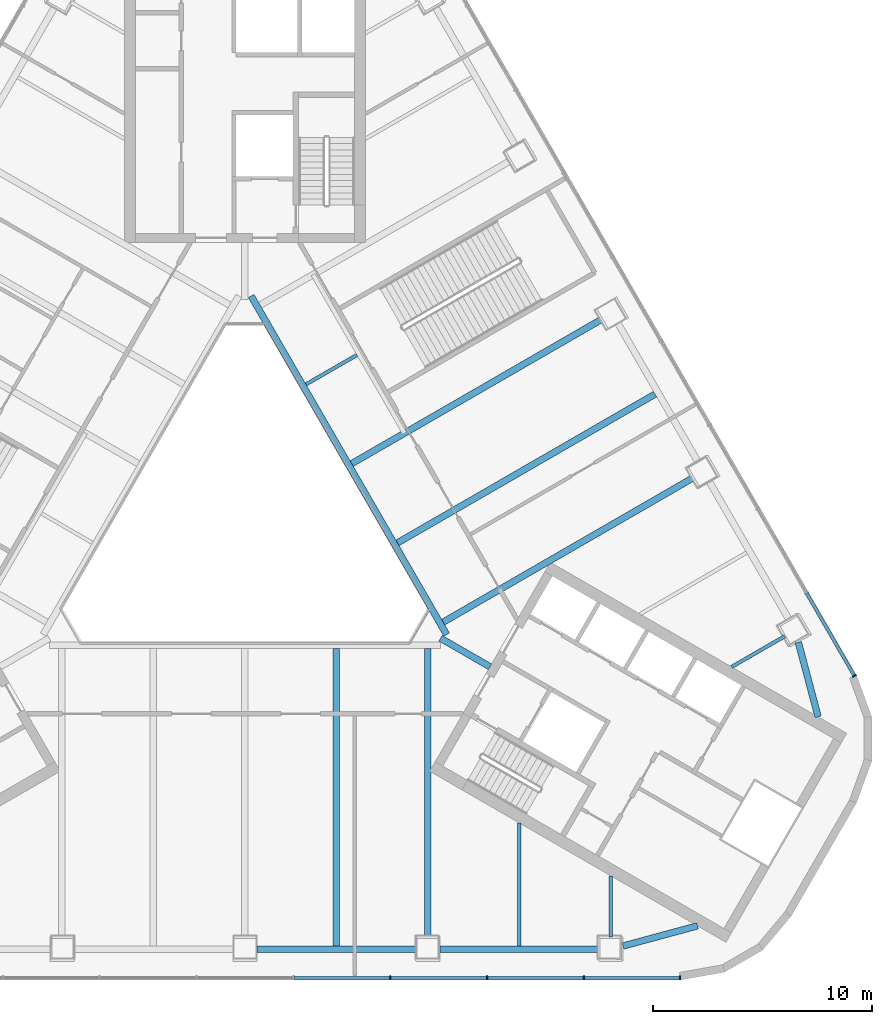
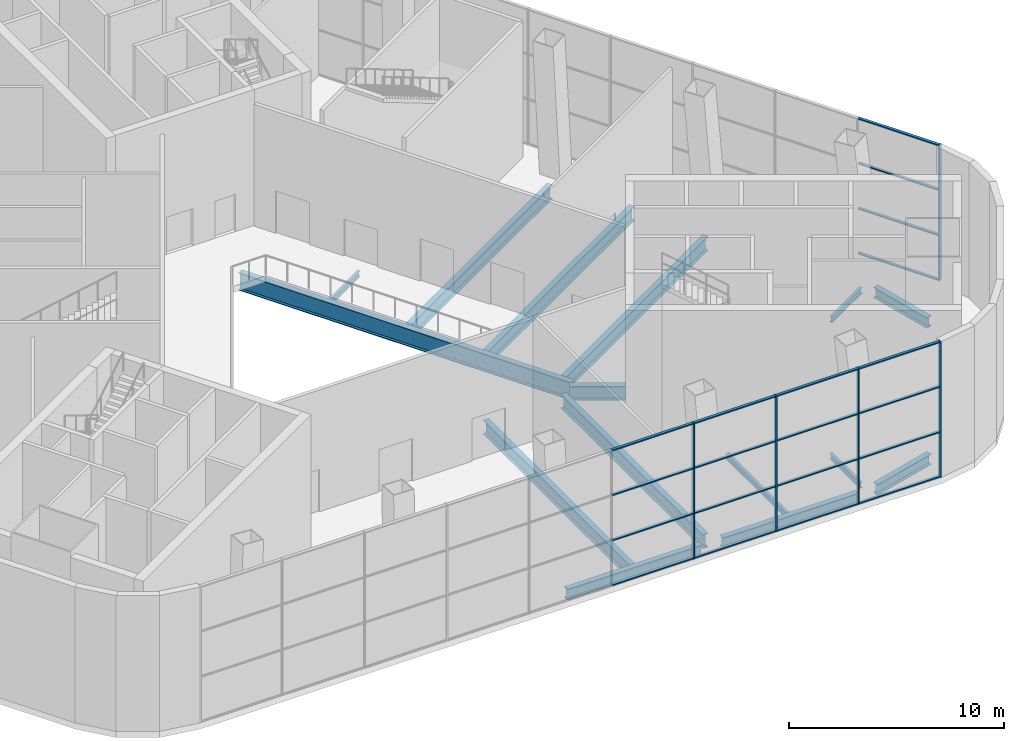
# One storey, part 4 of 16: 25 members, 15 beams, 2 elements without a shape of their own.
"""IFC4 building model written with IfcOpenShell, lengths in metres."""

from ifc_helpers import new_model, si_unit, direction, frame, origin, origin_2d, place, context, subcontext, project, spatial, rectangle, i_section, extrude, material, layer, layer_set, material_profile, profile_set, type_object, element, aggregate, save


model = new_model("IFC4")

# Units and contexts
model_context = context("Model", 3, precision=1e-05, world=origin(), true_north=direction((0.0, 1.0)))
body_context = subcontext(model_context, "Body", "Model", "MODEL_VIEW")
ifc_project = project(units=[si_unit("LENGTHUNIT", "METRE"), si_unit("AREAUNIT", "SQUARE_METRE"), si_unit("VOLUMEUNIT", "CUBIC_METRE"), si_unit("PLANEANGLEUNIT", "RADIAN"), si_unit("MASSUNIT", "GRAM", prefix="KILO")], contexts=[model_context])

# Site, building, storey
site_placement = place(None, origin())
site = spatial("IfcSite", under=ifc_project, at=site_placement, CompositionType="ELEMENT")
building_placement = place(site_placement, origin())
building = spatial("IfcBuilding", under=site, at=building_placement, Name="Apuvela Tower Hotel", CompositionType="ELEMENT")
storey_placement = place(building_placement, frame((0.0, 0.0, 15.5)))
storey = spatial("IfcBuildingStorey", under=building, at=storey_placement, Name="L02", CompositionType="ELEMENT", Elevation=15.5)

# Curtain wall, members
ifc_material_1 = material(Name="Aluminium 6063-T6, dark bronze anodised", Category="aluminium")
ifc_layer = layer(ifc_material_1, 0.199951171875)
ifc_layer_set = layer_set([ifc_layer], Name="ENV-CW-P")
curtain_wall_type = type_object("IfcCurtainWallType", Name="ENV-CW-P", PredefinedType="NOTDEFINED", material=ifc_layer_set)
curtain_wall_1_placement = place(storey_placement, origin())
curtain_wall_1 = element("IfcCurtainWall", 1, at=curtain_wall_1_placement, inside=storey, type_object=curtain_wall_type, Name="Curtain wall CW-P S L02", PredefinedType="NOTDEFINED")
ifc_material_profile_1 = material_profile(ifc_material_1, rectangle(XDim=0.199951171875, YDim=0.06494140625, at=origin_2d()), Name="AL 65x200")
ifc_profile_set_1 = profile_set([ifc_material_profile_1], Name="Aluminium 6063-T6, dark bronze anodised")
member_type_1 = type_object("IfcMemberType", Name="ENV-MULLION-65x200", PredefinedType="MULLION", material=ifc_profile_set_1)
member_1_placement = place(storey_placement, frame((6.623779296875, -20.63134765625, 0.0), z_axis=(0.0, 0.0, 1.0), x_axis=(0.0, 1.0, 0.0)))
member_1 = element("IfcMember", 2, at=member_1_placement, type_object=member_type_1, Name="CW-P mullion 7", PredefinedType="MULLION", context=body_context, shape_type="SweptSolid", body=[
    extrude(rectangle(XDim=0.199951171875, YDim=0.06494140625, at=origin_2d()), origin(), (0.0, 0.0, 1.0), 7.699951171875),
])
member_2_placement = place(storey_placement, frame((11.039794921875, -20.63134765625, 0.0), z_axis=(0.0, 0.0, 1.0), x_axis=(0.0, 1.0, 0.0)))
member_2 = element("IfcMember", 3, at=member_2_placement, type_object=member_type_1, Name="CW-P mullion 8", PredefinedType="MULLION", context=body_context, shape_type="SweptSolid", body=[
    extrude(rectangle(XDim=0.199951171875, YDim=0.06494140625, at=origin_2d()), origin(), (0.0, 0.0, 1.0), 7.699951171875),
])
member_3_placement = place(storey_placement, frame((15.45556640625, -20.63134765625, 0.0), z_axis=(0.0, 0.0, 1.0), x_axis=(0.0, 1.0, 0.0)))
member_3 = element("IfcMember", 4, at=member_3_placement, type_object=member_type_1, Name="CW-P mullion 9", PredefinedType="MULLION", context=body_context, shape_type="SweptSolid", body=[
    extrude(rectangle(XDim=0.199951171875, YDim=0.06494140625, at=origin_2d()), origin(), (0.0, 0.0, 1.0), 7.699951171875),
])
member_4_placement = place(storey_placement, frame((19.839111328125, -20.63134765625, 0.0), z_axis=(0.0, 0.0, 1.0), x_axis=(0.0, 1.0, 0.0)))
member_4 = element("IfcMember", 5, at=member_4_placement, type_object=member_type_1, Name="CW-P mullion 10", PredefinedType="MULLION", context=body_context, shape_type="SweptSolid", body=[
    extrude(rectangle(XDim=0.199951171875, YDim=0.06494140625, at=origin_2d()), origin(), (0.0, 0.0, 1.0), 7.699951171875),
])

# Curtain wall, member
curtain_wall_2_placement = place(storey_placement, origin())
curtain_wall_2 = element("IfcCurtainWall", 6, at=curtain_wall_2_placement, inside=storey, type_object=curtain_wall_type, Name="Curtain wall CW-P NE L02", PredefinedType="NOTDEFINED")
member_5_placement = place(storey_placement, frame((27.786865234375, -6.865478515625, 0.0), z_axis=(0.0, 0.0, 1.0), x_axis=(-0.866024643727, -0.500001316455, 0.0)))
member_5 = element("IfcMember", 7, at=member_5_placement, type_object=member_type_1, Name="CW-P mullion 1", PredefinedType="MULLION", context=body_context, shape_type="SweptSolid", body=[
    extrude(rectangle(XDim=0.199951171875, YDim=0.06494140625, at=origin_2d()), origin(), (0.0, 0.0, 1.0), 7.699951171875),
])

# Member
ifc_material_profile_2 = material_profile(ifc_material_1, rectangle(XDim=0.14990234375, YDim=0.06494140625, at=origin_2d()), Name="AL 65x150 transom")
ifc_profile_set_2 = profile_set([ifc_material_profile_2], Name="Aluminium 6063-T6, dark bronze anodised")
member_type_2 = type_object("IfcMemberType", Name="ENV-TRANSOM-65x150", PredefinedType="USERDEFINED", material=ifc_profile_set_2)
member_6_placement = place(storey_placement, frame((2.240478515625, -20.63134765625, 0.032470703125), z_axis=(1.0, 0.0, 0.0), x_axis=(0.0, 1.0, 0.0)))
member_6 = element("IfcMember", 8, at=member_6_placement, type_object=member_type_2, Name="CW-P transom 6.1", ObjectType="TRANSOM", PredefinedType="USERDEFINED", context=body_context, shape_type="SweptSolid", body=[
    extrude(rectangle(XDim=0.14990234375, YDim=0.06494140625, at=origin_2d()), origin(), (0.0, 0.0, 1.0), 4.350830078125),
])

member_7_placement = place(storey_placement, frame((2.240478515625, -20.63134765625, 2.566650390625), z_axis=(1.0, 0.0, 0.0), x_axis=(0.0, 1.0, 0.0)))
member_7 = element("IfcMember", 9, at=member_7_placement, type_object=member_type_2, Name="CW-P transom 6.2", ObjectType="TRANSOM", PredefinedType="USERDEFINED", context=body_context, shape_type="SweptSolid", body=[
    extrude(rectangle(XDim=0.14990234375, YDim=0.06494140625, at=origin_2d()), origin(), (0.0, 0.0, 1.0), 4.350830078125),
])

member_8_placement = place(storey_placement, frame((2.240478515625, -20.63134765625, 5.13330078125), z_axis=(1.0, 0.0, 0.0), x_axis=(0.0, 1.0, 0.0)))
member_8 = element("IfcMember", 10, at=member_8_placement, type_object=member_type_2, Name="CW-P transom 6.3", ObjectType="TRANSOM", PredefinedType="USERDEFINED", context=body_context, shape_type="SweptSolid", body=[
    extrude(rectangle(XDim=0.14990234375, YDim=0.06494140625, at=origin_2d()), origin(), (0.0, 0.0, 1.0), 4.350830078125),
])

member_9_placement = place(storey_placement, frame((2.240478515625, -20.63134765625, 7.66748046875), z_axis=(1.0, 0.0, 0.0), x_axis=(0.0, 1.0, 0.0)))
member_9 = element("IfcMember", 11, at=member_9_placement, type_object=member_type_2, Name="CW-P transom 6.4", ObjectType="TRANSOM", PredefinedType="USERDEFINED", context=body_context, shape_type="SweptSolid", body=[
    extrude(rectangle(XDim=0.14990234375, YDim=0.06494140625, at=origin_2d()), origin(), (0.0, 0.0, 1.0), 4.350830078125),
])

member_10_placement = place(storey_placement, frame((6.65625, -20.63134765625, 0.032470703125), z_axis=(1.0, 0.0, 0.0), x_axis=(0.0, 1.0, 0.0)))
member_10 = element("IfcMember", 12, at=member_10_placement, type_object=member_type_2, Name="CW-P transom 7.1", ObjectType="TRANSOM", PredefinedType="USERDEFINED", context=body_context, shape_type="SweptSolid", body=[
    extrude(rectangle(XDim=0.14990234375, YDim=0.06494140625, at=origin_2d()), origin(), (0.0, 0.0, 1.0), 4.35107421875),
])

member_11_placement = place(storey_placement, frame((6.65625, -20.63134765625, 2.566650390625), z_axis=(1.0, 0.0, 0.0), x_axis=(0.0, 1.0, 0.0)))
member_11 = element("IfcMember", 13, at=member_11_placement, type_object=member_type_2, Name="CW-P transom 7.2", ObjectType="TRANSOM", PredefinedType="USERDEFINED", context=body_context, shape_type="SweptSolid", body=[
    extrude(rectangle(XDim=0.14990234375, YDim=0.06494140625, at=origin_2d()), origin(), (0.0, 0.0, 1.0), 4.35107421875),
])

member_12_placement = place(storey_placement, frame((6.65625, -20.63134765625, 5.13330078125), z_axis=(1.0, 0.0, 0.0), x_axis=(0.0, 1.0, 0.0)))
member_12 = element("IfcMember", 14, at=member_12_placement, type_object=member_type_2, Name="CW-P transom 7.3", ObjectType="TRANSOM", PredefinedType="USERDEFINED", context=body_context, shape_type="SweptSolid", body=[
    extrude(rectangle(XDim=0.14990234375, YDim=0.06494140625, at=origin_2d()), origin(), (0.0, 0.0, 1.0), 4.35107421875),
])

member_13_placement = place(storey_placement, frame((6.65625, -20.63134765625, 7.66748046875), z_axis=(1.0, 0.0, 0.0), x_axis=(0.0, 1.0, 0.0)))
member_13 = element("IfcMember", 15, at=member_13_placement, type_object=member_type_2, Name="CW-P transom 7.4", ObjectType="TRANSOM", PredefinedType="USERDEFINED", context=body_context, shape_type="SweptSolid", body=[
    extrude(rectangle(XDim=0.14990234375, YDim=0.06494140625, at=origin_2d()), origin(), (0.0, 0.0, 1.0), 4.35107421875),
])

member_14_placement = place(storey_placement, frame((11.072265625, -20.63134765625, 0.032470703125), z_axis=(1.0, 0.0, 0.0), x_axis=(0.0, 1.0, 0.0)))
member_14 = element("IfcMember", 16, at=member_14_placement, type_object=member_type_2, Name="CW-P transom 8.1", ObjectType="TRANSOM", PredefinedType="USERDEFINED", context=body_context, shape_type="SweptSolid", body=[
    extrude(rectangle(XDim=0.14990234375, YDim=0.06494140625, at=origin_2d()), origin(), (0.0, 0.0, 1.0), 4.350830078125),
])

member_15_placement = place(storey_placement, frame((11.072265625, -20.63134765625, 2.566650390625), z_axis=(1.0, 0.0, 0.0), x_axis=(0.0, 1.0, 0.0)))
member_15 = element("IfcMember", 17, at=member_15_placement, type_object=member_type_2, Name="CW-P transom 8.2", ObjectType="TRANSOM", PredefinedType="USERDEFINED", context=body_context, shape_type="SweptSolid", body=[
    extrude(rectangle(XDim=0.14990234375, YDim=0.06494140625, at=origin_2d()), origin(), (0.0, 0.0, 1.0), 4.350830078125),
])

member_16_placement = place(storey_placement, frame((11.072265625, -20.63134765625, 5.13330078125), z_axis=(1.0, 0.0, 0.0), x_axis=(0.0, 1.0, 0.0)))
member_16 = element("IfcMember", 18, at=member_16_placement, type_object=member_type_2, Name="CW-P transom 8.3", ObjectType="TRANSOM", PredefinedType="USERDEFINED", context=body_context, shape_type="SweptSolid", body=[
    extrude(rectangle(XDim=0.14990234375, YDim=0.06494140625, at=origin_2d()), origin(), (0.0, 0.0, 1.0), 4.350830078125),
])

member_17_placement = place(storey_placement, frame((11.072265625, -20.63134765625, 7.66748046875), z_axis=(1.0, 0.0, 0.0), x_axis=(0.0, 1.0, 0.0)))
member_17 = element("IfcMember", 19, at=member_17_placement, type_object=member_type_2, Name="CW-P transom 8.4", ObjectType="TRANSOM", PredefinedType="USERDEFINED", context=body_context, shape_type="SweptSolid", body=[
    extrude(rectangle(XDim=0.14990234375, YDim=0.06494140625, at=origin_2d()), origin(), (0.0, 0.0, 1.0), 4.350830078125),
])

member_18_placement = place(storey_placement, frame((15.488037109375, -20.63134765625, 0.032470703125), z_axis=(1.0, 0.0, 0.0), x_axis=(0.0, 1.0, 0.0)))
member_18 = element("IfcMember", 20, at=member_18_placement, type_object=member_type_2, Name="CW-P transom 9.1", ObjectType="TRANSOM", PredefinedType="USERDEFINED", context=body_context, shape_type="SweptSolid", body=[
    extrude(rectangle(XDim=0.14990234375, YDim=0.06494140625, at=origin_2d()), origin(), (0.0, 0.0, 1.0), 4.318359375),
])

member_19_placement = place(storey_placement, frame((15.488037109375, -20.63134765625, 2.566650390625), z_axis=(1.0, 0.0, 0.0), x_axis=(0.0, 1.0, 0.0)))
member_19 = element("IfcMember", 21, at=member_19_placement, type_object=member_type_2, Name="CW-P transom 9.2", ObjectType="TRANSOM", PredefinedType="USERDEFINED", context=body_context, shape_type="SweptSolid", body=[
    extrude(rectangle(XDim=0.14990234375, YDim=0.06494140625, at=origin_2d()), origin(), (0.0, 0.0, 1.0), 4.318359375),
])

member_20_placement = place(storey_placement, frame((15.488037109375, -20.63134765625, 5.13330078125), z_axis=(1.0, 0.0, 0.0), x_axis=(0.0, 1.0, 0.0)))
member_20 = element("IfcMember", 22, at=member_20_placement, type_object=member_type_2, Name="CW-P transom 9.3", ObjectType="TRANSOM", PredefinedType="USERDEFINED", context=body_context, shape_type="SweptSolid", body=[
    extrude(rectangle(XDim=0.14990234375, YDim=0.06494140625, at=origin_2d()), origin(), (0.0, 0.0, 1.0), 4.318359375),
])

member_21_placement = place(storey_placement, frame((15.488037109375, -20.63134765625, 7.66748046875), z_axis=(1.0, 0.0, 0.0), x_axis=(0.0, 1.0, 0.0)))
member_21 = element("IfcMember", 23, at=member_21_placement, type_object=member_type_2, Name="CW-P transom 9.4", ObjectType="TRANSOM", PredefinedType="USERDEFINED", context=body_context, shape_type="SweptSolid", body=[
    extrude(rectangle(XDim=0.14990234375, YDim=0.06494140625, at=origin_2d()), origin(), (0.0, 0.0, 1.0), 4.318359375),
])

aggregate(curtain_wall_1, [member_1, member_2, member_3, member_4, member_6, member_7, member_8, member_9, member_10, member_11, member_12, member_13, member_14, member_15, member_16, member_17, member_18, member_19, member_20, member_21])

member_22_placement = place(storey_placement, frame((27.7705078125, -6.83740234375, 0.032470703125), z_axis=(-0.499981819847, 0.866035899846, 0.0), x_axis=(-0.866035899846, -0.499981819847, 0.0)))
member_22 = element("IfcMember", 24, at=member_22_placement, type_object=member_type_2, Name="CW-P transom 1.1", ObjectType="TRANSOM", PredefinedType="USERDEFINED", context=body_context, shape_type="SweptSolid", body=[
    extrude(rectangle(XDim=0.14990234375, YDim=0.06494140625, at=origin_2d()), origin(), (0.0, 0.0, 1.0), 4.318603515625),
])

member_23_placement = place(storey_placement, frame((27.7705078125, -6.83740234375, 2.566650390625), z_axis=(-0.499981819847, 0.866035899846, 0.0), x_axis=(-0.866035899846, -0.499981819847, 0.0)))
member_23 = element("IfcMember", 25, at=member_23_placement, type_object=member_type_2, Name="CW-P transom 1.2", ObjectType="TRANSOM", PredefinedType="USERDEFINED", context=body_context, shape_type="SweptSolid", body=[
    extrude(rectangle(XDim=0.14990234375, YDim=0.06494140625, at=origin_2d()), origin(), (0.0, 0.0, 1.0), 4.318603515625),
])

member_24_placement = place(storey_placement, frame((27.7705078125, -6.83740234375, 5.13330078125), z_axis=(-0.499981819847, 0.866035899846, 0.0), x_axis=(-0.866035899846, -0.499981819847, 0.0)))
member_24 = element("IfcMember", 26, at=member_24_placement, type_object=member_type_2, Name="CW-P transom 1.3", ObjectType="TRANSOM", PredefinedType="USERDEFINED", context=body_context, shape_type="SweptSolid", body=[
    extrude(rectangle(XDim=0.14990234375, YDim=0.06494140625, at=origin_2d()), origin(), (0.0, 0.0, 1.0), 4.318603515625),
])

member_25_placement = place(storey_placement, frame((27.7705078125, -6.83740234375, 7.66748046875), z_axis=(-0.499981819847, 0.866035899846, 0.0), x_axis=(-0.866035899846, -0.499981819847, 0.0)))
member_25 = element("IfcMember", 27, at=member_25_placement, type_object=member_type_2, Name="CW-P transom 1.4", ObjectType="TRANSOM", PredefinedType="USERDEFINED", context=body_context, shape_type="SweptSolid", body=[
    extrude(rectangle(XDim=0.14990234375, YDim=0.06494140625, at=origin_2d()), origin(), (0.0, 0.0, 1.0), 4.318603515625),
])

aggregate(curtain_wall_2, [member_5, member_22, member_23, member_24, member_25])

# Beams
ifc_material_2 = material(Name="Steel S355", Category="steel")
ifc_material_profile_3 = material_profile(ifc_material_2, i_section(OverallWidth=0.300048828125, OverallDepth=0.7900390625, WebThickness=0.014892578125, FlangeThickness=0.028076171875, at=origin_2d()), Name="HE 800 A")
ifc_profile_set_3 = profile_set([ifc_material_profile_3], Name="Steel S355")
beam_type_1 = type_object("IfcBeamType", Name="STR-B floor beam HE 800 A", PredefinedType="BEAM", material=ifc_profile_set_3)
beam_1_placement = place(storey_placement, frame((20.436767578125, 2.165283203125, -0.7451171875), z_axis=(-0.866023078635, -0.500004027256, 0.0), x_axis=(0.500004027256, -0.866023078635, 0.0)))
element("IfcBeam", 28, at=beam_1_placement, inside=storey, type_object=beam_type_1, Name="Floor beam B5 NE3", PredefinedType="BEAM", context=body_context, shape_type="SweptSolid", body=[
    extrude(i_section(OverallWidth=0.300048828125, OverallDepth=0.7900390625, WebThickness=0.014892578125, FlangeThickness=0.028076171875, at=origin_2d()), origin(), (0.0, 0.0, 1.0), 13.15966796875),
])
beam_2_placement = place(storey_placement, frame((18.697509765625, 5.97802734375, -0.7451171875), z_axis=(-0.866025174552, -0.500000397042, 0.0), x_axis=(0.500000397042, -0.866025174552, 0.0)))
element("IfcBeam", 29, at=beam_2_placement, inside=storey, type_object=beam_type_1, Name="Floor beam B5 NE4", PredefinedType="BEAM", context=body_context, shape_type="SweptSolid", body=[
    extrude(i_section(OverallWidth=0.300048828125, OverallDepth=0.7900390625, WebThickness=0.014892578125, FlangeThickness=0.028076171875, at=origin_2d()), origin(), (0.0, 0.0, 1.0), 13.5595703125),
])
beam_3_placement = place(storey_placement, frame((16.26513671875, 9.390625, -0.7451171875), z_axis=(-0.866026473983, -0.499998146358, 0.0), x_axis=(0.499998146358, -0.866026473983, 0.0)))
element("IfcBeam", 30, at=beam_3_placement, inside=storey, type_object=beam_type_1, Name="Floor beam B5 NE5", PredefinedType="BEAM", context=body_context, shape_type="SweptSolid", body=[
    extrude(i_section(OverallWidth=0.300048828125, OverallDepth=0.7900390625, WebThickness=0.014892578125, FlangeThickness=0.028076171875, at=origin_2d()), origin(), (0.0, 0.0, 1.0), 13.1591796875),
])
beam_4_placement = place(storey_placement, frame((4.171630859375, -19.181396484375, -0.7451171875), z_axis=(0.0, 1.0, 0.0), x_axis=(-1.0, 0.0, 0.0)))
element("IfcBeam", 31, at=beam_4_placement, inside=storey, type_object=beam_type_1, Name="Floor beam B5 S6", PredefinedType="BEAM", context=body_context, shape_type="SweptSolid", body=[
    extrude(i_section(OverallWidth=0.300048828125, OverallDepth=0.7900390625, WebThickness=0.014892578125, FlangeThickness=0.028076171875, at=origin_2d()), origin(), (0.0, 0.0, 1.0), 13.559326171875),
])
beam_5_placement = place(storey_placement, frame((8.34326171875, -18.781494140625, -0.7451171875), z_axis=(0.0, 1.0, 0.0), x_axis=(-1.0, 0.0, 0.0)))
element("IfcBeam", 32, at=beam_5_placement, inside=storey, type_object=beam_type_1, Name="Floor beam B5 S7", PredefinedType="BEAM", context=body_context, shape_type="SweptSolid", body=[
    extrude(i_section(OverallWidth=0.300048828125, OverallDepth=0.7900390625, WebThickness=0.014892578125, FlangeThickness=0.028076171875, at=origin_2d()), origin(), (0.0, 0.0, 1.0), 13.159423828125),
])
ifc_material_profile_4 = material_profile(ifc_material_2, i_section(OverallWidth=0.159912109375, OverallDepth=0.330078125, WebThickness=0.007568359375, FlangeThickness=0.011474609375, at=origin_2d()), Name="IPE 330")
ifc_profile_set_4 = profile_set([ifc_material_profile_4], Name="Steel S355")
beam_type_2 = type_object("IfcBeamType", Name="STR-B floor beam IPE 330", PredefinedType="BEAM", material=ifc_profile_set_4)
beam_6_placement = place(storey_placement, frame((24.6083984375, -5.060302734375, -0.514892578125), z_axis=(-0.866037299004, -0.49997939631, 0.0), x_axis=(0.49997939631, -0.866037299004, 0.0)))
element("IfcBeam", 33, at=beam_6_placement, inside=storey, type_object=beam_type_2, Name="Floor beam B1 NE1", PredefinedType="BEAM", context=body_context, shape_type="SweptSolid", body=[
    extrude(i_section(OverallWidth=0.159912109375, OverallDepth=0.330078125, WebThickness=0.007568359375, FlangeThickness=0.011474609375, at=origin_2d()), origin(), (0.0, 0.0, 1.0), 2.79638671875),
])
beam_7_placement = place(storey_placement, frame((5.102294921875, 7.7626953125, -0.514892578125), z_axis=(-0.866018596809, -0.500011789842, 0.0), x_axis=(0.500011789842, -0.866018596809, 0.0)))
element("IfcBeam", 34, at=beam_7_placement, inside=storey, type_object=beam_type_2, Name="Floor beam B1 NE6", PredefinedType="BEAM", context=body_context, shape_type="SweptSolid", body=[
    extrude(i_section(OverallWidth=0.159912109375, OverallDepth=0.330078125, WebThickness=0.007568359375, FlangeThickness=0.011474609375, at=origin_2d()), origin(), (0.0, 0.0, 1.0), 2.67822265625),
])
beam_8_placement = place(storey_placement, frame((12.514892578125, -19.181396484375, -0.514892578125), z_axis=(0.0, 1.0, 0.0), x_axis=(-1.0, 0.0, 0.0)))
element("IfcBeam", 35, at=beam_8_placement, inside=storey, type_object=beam_type_2, Name="Floor beam B1 S8", PredefinedType="BEAM", context=body_context, shape_type="SweptSolid", body=[
    extrude(i_section(OverallWidth=0.159912109375, OverallDepth=0.330078125, WebThickness=0.007568359375, FlangeThickness=0.011474609375, at=origin_2d()), origin(), (0.0, 0.0, 1.0), 5.60498046875),
])
beam_9_placement = place(storey_placement, frame((16.6865234375, -18.781494140625, -0.514892578125), z_axis=(0.0, 1.0, 0.0), x_axis=(-1.0, 0.0, 0.0)))
element("IfcBeam", 36, at=beam_9_placement, inside=storey, type_object=beam_type_2, Name="Floor beam B1 S9", PredefinedType="BEAM", context=body_context, shape_type="SweptSolid", body=[
    extrude(i_section(OverallWidth=0.159912109375, OverallDepth=0.330078125, WebThickness=0.007568359375, FlangeThickness=0.011474609375, at=origin_2d()), origin(), (0.0, 0.0, 1.0), 2.796630859375),
])
ifc_material_profile_5 = material_profile(ifc_material_2, i_section(OverallWidth=0.302001953125, OverallDepth=1.008056640625, WebThickness=0.02099609375, FlangeThickness=0.0400390625, at=origin_2d()), Name="HE 1000 M")
ifc_profile_set_5 = profile_set([ifc_material_profile_5], Name="Steel S355")
beam_type_3 = type_object("IfcBeamType", Name="STR-G atrium ring girder HE 1000 M", PredefinedType="BEAM", material=ifc_profile_set_5)
beam_10_placement = place(storey_placement, frame((9.1953125, -4.984619140625, -0.85400390625), z_axis=(-0.500000611842, 0.866025050537, 0.0), x_axis=(-0.866025050537, -0.500000611842, 0.0)))
element("IfcBeam", 37, at=beam_10_placement, inside=storey, type_object=beam_type_3, Name="Atrium ring girder G1 SE-N", PredefinedType="BEAM", context=body_context, shape_type="SweptSolid", body=[
    extrude(i_section(OverallWidth=0.302001953125, OverallDepth=1.008056640625, WebThickness=0.02099609375, FlangeThickness=0.0400390625, at=origin_2d()), origin(), (0.0, 0.0, 1.0), 17.8291015625),
])
ifc_material_profile_6 = material_profile(ifc_material_2, i_section(OverallWidth=0.300048828125, OverallDepth=0.800048828125, WebThickness=0.017578125, FlangeThickness=0.032958984375, at=origin_2d()), Name="HE 800 B")
ifc_profile_set_6 = profile_set([ifc_material_profile_6], Name="Steel S355")
beam_type_4 = type_object("IfcBeamType", Name="STR-GT core tie beam HE 800 B", PredefinedType="BEAM", material=ifc_profile_set_6)
beam_11_placement = place(storey_placement, frame((11.171630859375, -6.449951171875, -0.75), z_axis=(-0.865997922154, 0.500047596559, 0.0), x_axis=(-0.500047596559, -0.865997922154, 0.0)))
element("IfcBeam", 38, at=beam_11_placement, inside=storey, type_object=beam_type_4, Name="Core tie beam GT1 SE", PredefinedType="BEAM", context=body_context, shape_type="SweptSolid", body=[
    extrude(i_section(OverallWidth=0.300048828125, OverallDepth=0.800048828125, WebThickness=0.017578125, FlangeThickness=0.032958984375, at=origin_2d()), origin(), (0.0, 0.0, 1.0), 2.599853515625),
])
ifc_material_profile_7 = material_profile(ifc_material_2, i_section(OverallWidth=0.300048828125, OverallDepth=0.60009765625, WebThickness=0.015380859375, FlangeThickness=0.030029296875, at=origin_2d()), Name="HE 600 B")
ifc_profile_set_7 = profile_set([ifc_material_profile_7], Name="Steel S355")
beam_type_5 = type_object("IfcBeamType", Name="STR-SB spandrel beam HE 600 B", PredefinedType="SPANDREL", material=ifc_profile_set_7)
for number, where, z_axis, x_axis, name in (
    (39, (0.550048828125, -19.331298828125, -0.64990234375), (1.0, 0.0, 0.0), (0.0, 1.0, 0.0), "Spandrel beam SB1 S3"),
    (40, (8.893310546875, -19.331298828125, -0.64990234375), (1.0, 0.0, 0.0), (0.0, 1.0, 0.0), "Spandrel beam SB1 S4"),
):
    element("IfcBeam", number, at=place(storey_placement, frame(where, z_axis=z_axis, x_axis=x_axis)), inside=storey, type_object=beam_type_5, Name=name, PredefinedType="SPANDREL", context=body_context, shape_type="SweptSolid", body=[
        extrude(i_section(OverallWidth=0.300048828125, OverallDepth=0.60009765625, WebThickness=0.015380859375, FlangeThickness=0.030029296875, at=origin_2d()), origin(), (0.0, 0.0, 1.0), 7.2431640625),
    ])
for number, where, z_axis, x_axis, name in (
    (41, (17.236572265625, -19.1826171875, -0.64990234375), (0.96525372333, 0.26131446496, 0.0), (-0.26131446496, 0.96525372333, 0.0), "Spandrel beam SB1 S5-SE"),
    (42, (25.230712890625, -5.3359375, -0.64990234375), (0.256388395113, -0.966573841386, 0.0), (0.966573841386, 0.256388395113, 0.0), "Spandrel beam SB1 NE1-SE"),
):
    element("IfcBeam", number, at=place(storey_placement, frame(where, z_axis=z_axis, x_axis=x_axis)), inside=storey, type_object=beam_type_5, Name=name, PredefinedType="SPANDREL", context=body_context, shape_type="SweptSolid", body=[
        extrude(i_section(OverallWidth=0.300048828125, OverallDepth=0.60009765625, WebThickness=0.015380859375, FlangeThickness=0.030029296875, at=origin_2d()), origin(), (0.0, 0.0, 1.0), 3.5185546875),
    ])

save(model, "model.ifc")
